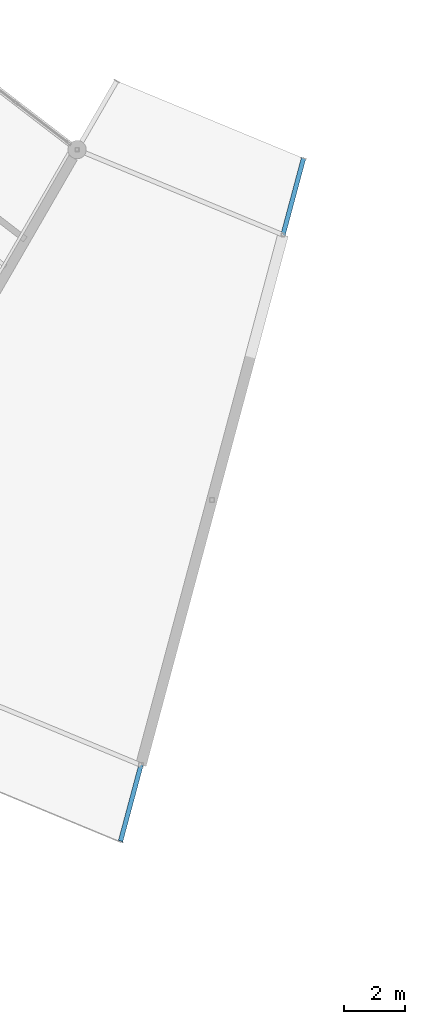
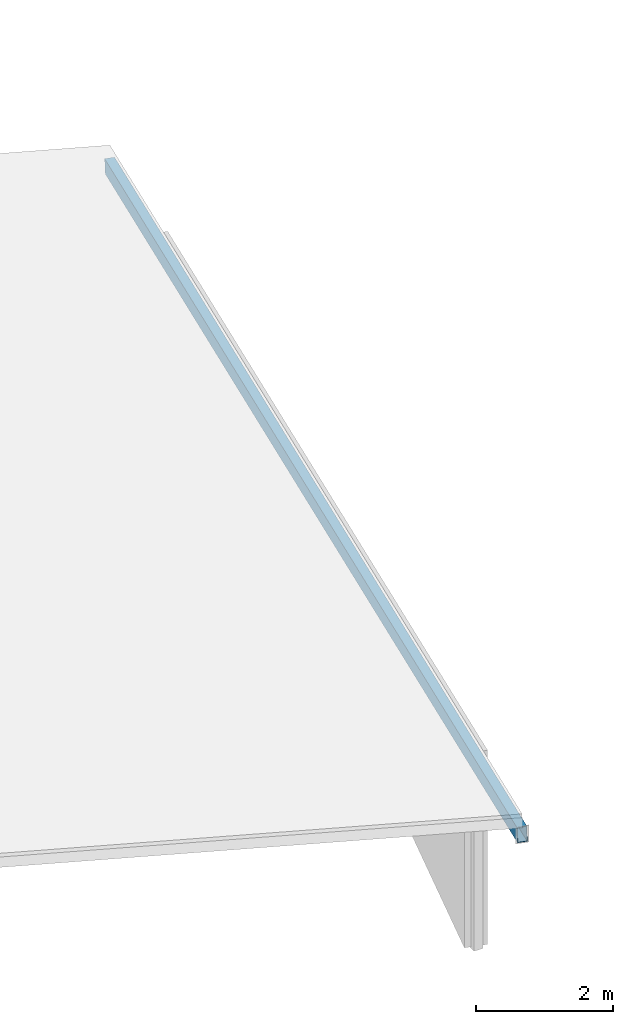
# One storey, part 47 of 185: 1 member.
"""IFC4 building model written with IfcOpenShell, lengths in metres."""

from ifc_helpers import new_model, si_unit, direction, frame, origin, origin_2d, place, context, subcontext, project, spatial, hollow_rectangle, extrude, material, material_profile, profile_set, type_object, element, save


model = new_model("IFC4")

# Units and contexts
model_context = context("Model", 3, precision=1e-05, world=origin(), true_north=direction((0.0, 1.0)))
body_context = subcontext(model_context, "Body", "Model", "MODEL_VIEW")
ifc_project = project(units=[si_unit("LENGTHUNIT", "METRE"), si_unit("AREAUNIT", "SQUARE_METRE"), si_unit("VOLUMEUNIT", "CUBIC_METRE"), si_unit("PLANEANGLEUNIT", "RADIAN"), si_unit("MASSUNIT", "GRAM", prefix="KILO")], contexts=[model_context])

# Site, building, storey
site_placement = place(None, origin())
site = spatial("IfcSite", under=ifc_project, at=site_placement, CompositionType="ELEMENT")
building_placement = place(site_placement, origin())
building = spatial("IfcBuilding", under=site, at=building_placement, Name="Vondelvale Polytechnic", CompositionType="ELEMENT")
storey_placement = place(building_placement, frame((0.0, 0.0, 9.60009765625)))
storey = spatial("IfcBuildingStorey", under=building, at=storey_placement, Name="L02", CompositionType="ELEMENT", Elevation=9.60009765625)

# Member
ifc_material = material(Name="Steel C350L0 (fy = 350 MPa)", Category="steel")
ifc_material_profile = material_profile(ifc_material, hollow_rectangle(XDim=0.14990234375, YDim=0.25, WallThickness=0.006103515625, at=origin_2d()), Name="250x150x6.0RHS")
ifc_profile_set = profile_set([ifc_material_profile], Name="Steel C350L0 (fy = 350 MPa)")
member_type = type_object("IfcMemberType", Name="RAFTER RHS250", PredefinedType="RAFTER", material=ifc_profile_set)
member_placement = place(storey_placement, frame((89.42138671875, 25.055908203125, 3.765625), z_axis=(0.255414977301, 0.953223857145, -0.161639931762), x_axis=(-0.965925974596, 0.258818491613, 0.0)))
element("IfcMember", 1, at=member_placement, inside=storey, type_object=member_type, Name="Ring step inward-sloping rafter 16", PredefinedType="RAFTER", context=body_context, shape_type="SweptSolid", body=[
    extrude(hollow_rectangle(XDim=0.14990234375, YDim=0.25, WallThickness=0.006103515625, at=origin_2d()), origin(), (0.0, 0.0, 1.0), 23.50927734375),
])

save(model, "model.ifc")
